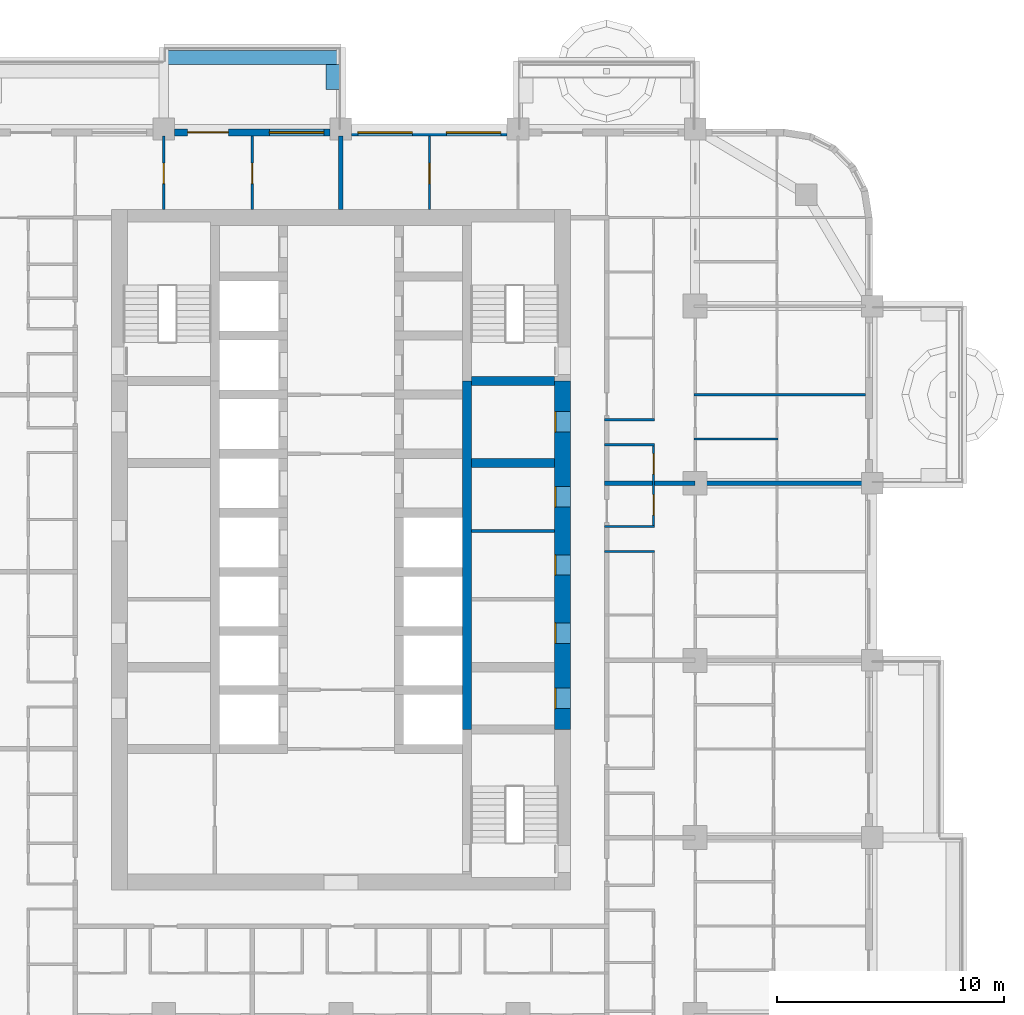
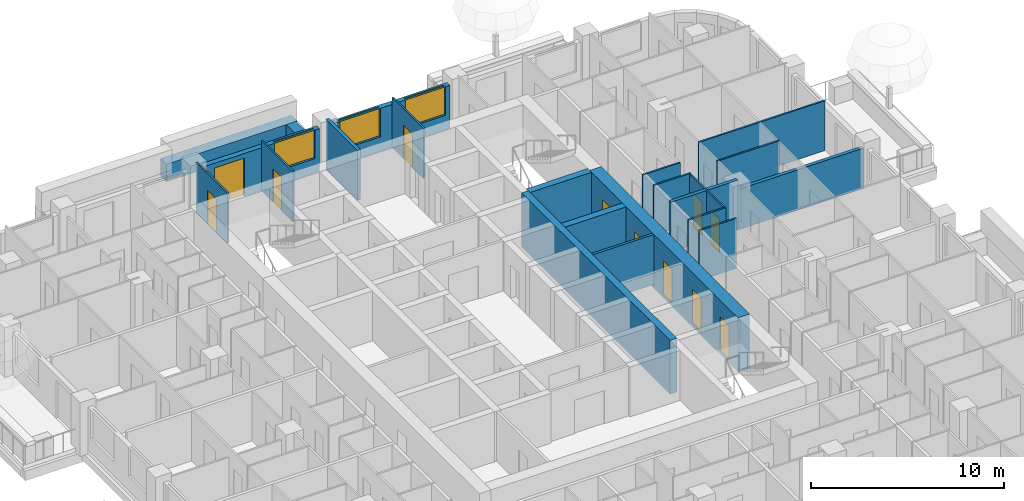
# One storey, part 12 of 19: 22 walls, 11 doors, 3 windows, 14 openings.
"""IFC4 building model written with IfcOpenShell, lengths in metres."""

from ifc_helpers import new_model, si_unit, direction, frame, frame_2d, origin, place, context, subcontext, project, spatial, rectangle, extrude, material, layer, layer_set, type_object, element, fill, save


model = new_model("IFC4")

# Units and contexts
model_context = context("Model", 3, precision=1e-05, world=origin(), true_north=direction((0.0, 1.0)))
body_context = subcontext(model_context, "Body", "Model", "MODEL_VIEW")
ifc_project = project(units=[si_unit("LENGTHUNIT", "METRE"), si_unit("AREAUNIT", "SQUARE_METRE"), si_unit("VOLUMEUNIT", "CUBIC_METRE"), si_unit("PLANEANGLEUNIT", "RADIAN"), si_unit("MASSUNIT", "GRAM", prefix="KILO")], contexts=[model_context])

# Site, building, storey
site_placement = place(None, origin())
site = spatial("IfcSite", under=ifc_project, at=site_placement, CompositionType="ELEMENT")
building_placement = place(site_placement, origin())
building = spatial("IfcBuilding", under=site, at=building_placement, Name="Ludao Terraces", CompositionType="ELEMENT")
storey_placement = place(building_placement, frame((0.0, 0.0, 68.199951171875)))
storey = spatial("IfcBuildingStorey", under=building, at=storey_placement, Name="L18", CompositionType="ELEMENT", Elevation=68.199951171875)

# Wall, openings, doors
ifc_material_1 = material(Name="Concrete C70", Category="concrete")
ifc_layer_1 = layer(ifc_material_1, 0.699951171875)
ifc_layer_set_1 = layer_set([ifc_layer_1], Name="Core wall 700 C70")
wall_type_1 = type_object("IfcWallType", Name="Core wall 700 C70", PredefinedType="SOLIDWALL", material=ifc_layer_set_1)
wall_1_placement = place(storey_placement, frame((94.75, 61.949951171875, -0.25), z_axis=(0.0, 0.0, 1.0), x_axis=(0.0, 1.0, 0.0)))
wall_1 = element("IfcWall", 1, at=wall_1_placement, inside=storey, type_object=wall_type_1, Name="Core wall L18 outer-E", PredefinedType="SOLIDWALL", context=body_context, shape_type="SweptSolid", body=[
    extrude(rectangle(XDim=15.35009765625, YDim=0.699951171875, at=frame_2d((7.675048828125, 0.0))), origin(), (0.0, 0.0, 1.0), 3.400146484375),
])
opening_1_placement = place(wall_1_placement, frame((0.925048828125, 0.0, 0.25)))
opening_1 = element("IfcOpeningElement", 2, at=opening_1_placement, cuts=wall_1, Name="Opening R05-080", PredefinedType="OPENING", context=body_context, shape_type="SweptSolid", body=[
    extrude(rectangle(XDim=0.89990234375, YDim=2.10009765625, at=frame_2d((0.449951171875, 1.050048828125))), frame((0.0, 0.35986328125, 0.0), z_axis=(0.0, -1.0, 0.0), x_axis=(1.0, 0.0, 0.0)), (0.0, 0.0, 1.0), 0.719970703125),
])
opening_2_placement = place(wall_1_placement, frame((3.800048828125, 0.0, 0.25)))
opening_2 = element("IfcOpeningElement", 3, at=opening_2_placement, cuts=wall_1, Name="Opening R05-093", PredefinedType="OPENING", context=body_context, shape_type="SweptSolid", body=[
    extrude(rectangle(XDim=0.89990234375, YDim=2.10009765625, at=frame_2d((0.449951171875, 1.050048828125))), frame((0.0, 0.35986328125, 0.0), z_axis=(0.0, -1.0, 0.0), x_axis=(1.0, 0.0, 0.0)), (0.0, 0.0, 1.0), 0.719970703125),
])
opening_3_placement = place(wall_1_placement, frame((6.800048828125, 0.0, 0.25)))
opening_3 = element("IfcOpeningElement", 4, at=opening_3_placement, cuts=wall_1, Name="Opening R05-101", PredefinedType="OPENING", context=body_context, shape_type="SweptSolid", body=[
    extrude(rectangle(XDim=0.89990234375, YDim=2.10009765625, at=frame_2d((0.449951171875, 1.050048828125))), frame((0.0, 0.35986328125, 0.0), z_axis=(0.0, -1.0, 0.0), x_axis=(1.0, 0.0, 0.0)), (0.0, 0.0, 1.0), 0.719970703125),
])
opening_4_placement = place(wall_1_placement, frame((9.800048828125, 0.0, 0.25)))
opening_4 = element("IfcOpeningElement", 5, at=opening_4_placement, cuts=wall_1, Name="Opening R05-112", PredefinedType="OPENING", context=body_context, shape_type="SweptSolid", body=[
    extrude(rectangle(XDim=0.89990234375, YDim=2.10009765625, at=frame_2d((0.449951171875, 1.050048828125))), frame((0.0, 0.35986328125, 0.0), z_axis=(0.0, -1.0, 0.0), x_axis=(1.0, 0.0, 0.0)), (0.0, 0.0, 1.0), 0.719970703125),
])
opening_5_placement = place(wall_1_placement, frame((13.10009765625, 0.0, 0.25)))
opening_5 = element("IfcOpeningElement", 6, at=opening_5_placement, cuts=wall_1, Name="Opening R05-124", PredefinedType="OPENING", context=body_context, shape_type="SweptSolid", body=[
    extrude(rectangle(XDim=0.89990234375, YDim=2.10009765625, at=frame_2d((0.449951171875, 1.050048828125))), frame((0.0, 0.35986328125, 0.0), z_axis=(0.0, -1.0, 0.0), x_axis=(1.0, 0.0, 0.0)), (0.0, 0.0, 1.0), 0.719970703125),
])
ifc_material_2 = material(Name="Steel Q235", Category="steel")
door_type_1 = type_object("IfcDoorType", Name="INT Riser door 900", OperationType="SINGLE_SWING_LEFT", PredefinedType="DOOR", material=ifc_material_2)
door_1_placement = place(opening_1_placement, origin())
door_1 = element("IfcDoor", 7, at=door_1_placement, inside=storey, type_object=door_type_1, Name="DOOR 080", OperationType="SINGLE_SWING_RIGHT", OverallHeight=2.10009765625, OverallWidth=0.89990234375, PredefinedType="DOOR", context=body_context, shape_type="SweptSolid", body=[
    extrude(rectangle(XDim=0.89990234375, YDim=2.10009765625, at=frame_2d((0.449951171875, 1.050048828125))), frame((0.0, 0.3349609375, 0.0), z_axis=(0.0, -1.0, 0.0), x_axis=(1.0, 0.0, 0.0)), (0.0, 0.0, 1.0), 0.050048828125),
])
fill(opening_1, door_1)
door_2_placement = place(opening_5_placement, origin())
door_2 = element("IfcDoor", 8, at=door_2_placement, inside=storey, type_object=door_type_1, Name="DOOR 124", OperationType="SINGLE_SWING_LEFT", OverallHeight=2.10009765625, OverallWidth=0.89990234375, PredefinedType="DOOR", context=body_context, shape_type="SweptSolid", body=[
    extrude(rectangle(XDim=0.89990234375, YDim=2.10009765625, at=frame_2d((0.449951171875, 1.050048828125))), frame((0.0, 0.3349609375, 0.0), z_axis=(0.0, -1.0, 0.0), x_axis=(1.0, 0.0, 0.0)), (0.0, 0.0, 1.0), 0.050048828125),
])
fill(opening_5, door_2)
ifc_material_3 = material(Name="Timber door leaf", Category="wood")
door_type_2 = type_object("IfcDoorType", Name="INT Room door 900", OperationType="SINGLE_SWING_LEFT", PredefinedType="DOOR", material=ifc_material_3)
door_3_placement = place(opening_2_placement, origin())
door_3 = element("IfcDoor", 9, at=door_3_placement, inside=storey, type_object=door_type_2, Name="DOOR 093", OperationType="SINGLE_SWING_LEFT", OverallHeight=2.10009765625, OverallWidth=0.89990234375, PredefinedType="DOOR", context=body_context, shape_type="SweptSolid", body=[
    extrude(rectangle(XDim=0.89990234375, YDim=2.10009765625, at=frame_2d((0.449951171875, 1.050048828125))), frame((0.0, 0.3349609375, 0.0), z_axis=(0.0, -1.0, 0.0), x_axis=(1.0, 0.0, 0.0)), (0.0, 0.0, 1.0), 0.050048828125),
])
fill(opening_2, door_3)
door_4_placement = place(opening_3_placement, origin())
door_4 = element("IfcDoor", 10, at=door_4_placement, inside=storey, type_object=door_type_2, Name="DOOR 101", OperationType="SINGLE_SWING_RIGHT", OverallHeight=2.10009765625, OverallWidth=0.89990234375, PredefinedType="DOOR", context=body_context, shape_type="SweptSolid", body=[
    extrude(rectangle(XDim=0.89990234375, YDim=2.10009765625, at=frame_2d((0.449951171875, 1.050048828125))), frame((0.0, 0.3349609375, 0.0), z_axis=(0.0, -1.0, 0.0), x_axis=(1.0, 0.0, 0.0)), (0.0, 0.0, 1.0), 0.050048828125),
])
fill(opening_3, door_4)
door_5_placement = place(opening_4_placement, origin())
door_5 = element("IfcDoor", 11, at=door_5_placement, inside=storey, type_object=door_type_2, Name="DOOR 112", OperationType="SINGLE_SWING_RIGHT", OverallHeight=2.10009765625, OverallWidth=0.89990234375, PredefinedType="DOOR", context=body_context, shape_type="SweptSolid", body=[
    extrude(rectangle(XDim=0.89990234375, YDim=2.10009765625, at=frame_2d((0.449951171875, 1.050048828125))), frame((0.0, 0.3349609375, 0.0), z_axis=(0.0, -1.0, 0.0), x_axis=(1.0, 0.0, 0.0)), (0.0, 0.0, 1.0), 0.050048828125),
])
fill(opening_4, door_5)

# Walls
ifc_material_4 = material(Name="Concrete C40", Category="concrete")
ifc_layer_2 = layer(ifc_material_4, 0.60009765625)
ifc_layer_set_2 = layer_set([ifc_layer_2], Name="ENV Planter trough 600")
wall_type_2 = type_object("IfcWallType", Name="ENV Planter trough 600", PredefinedType="USERDEFINED", material=ifc_layer_set_2)
wall_2_placement = place(storey_placement, frame((77.199951171875, 91.550048828125, 0.0), z_axis=(0.0, 0.0, 1.0), x_axis=(1.0, 0.0, 0.0)))
element("IfcWall", 12, at=wall_2_placement, inside=storey, type_object=wall_type_2, Name="PL-L18-N2", ObjectType="PLANTER", PredefinedType="USERDEFINED", context=body_context, shape_type="SweptSolid", body=[
    extrude(rectangle(XDim=7.800048828125, YDim=0.60009765625, at=frame_2d((3.89990234375, 0.0))), origin(), (0.0, 0.0, 1.0), 1.10009765625),
])
wall_3_placement = place(storey_placement, frame((84.64990234375, 91.25, 0.0), z_axis=(0.0, 0.0, 1.0), x_axis=(0.0, -1.0, 0.0)))
element("IfcWall", 13, at=wall_3_placement, inside=storey, type_object=wall_type_2, Name="PL-L18-N2-SB", ObjectType="PLANTER", PredefinedType="USERDEFINED", context=body_context, shape_type="SweptSolid", body=[
    extrude(rectangle(XDim=1.10009765625, YDim=0.60009765625, at=frame_2d((0.550048828125, 0.0))), origin(), (0.0, 0.0, 1.0), 1.10009765625),
])

# Wall, openings, door, window
ifc_material_5 = material(Name="Granite cladding", Category="masonry")
ifc_layer_3 = layer(ifc_material_5, 0.0400390625, Category="stone")
ifc_material_6 = material(Name="Mineral wool")
ifc_layer_4 = layer(ifc_material_6, 0.06005859375)
ifc_layer_5 = layer(ifc_material_4, 0.199951171875, Category="concrete")
ifc_layer_set_3 = layer_set([ifc_layer_3, ifc_layer_4, ifc_layer_5], Name="ENV Stone-clad wall 300")
wall_type_3 = type_object("IfcWallType", Name="ENV Stone-clad wall 300", PredefinedType="SOLIDWALL", material=ifc_layer_set_3)
wall_4_placement = place(storey_placement, frame((77.675048828125, 88.25, 0.0), z_axis=(0.0, 0.0, 1.0), x_axis=(1.0, 0.0, 0.0)))
wall_4 = element("IfcWall", 14, at=wall_4_placement, inside=storey, type_object=wall_type_3, Name="EW-L18-N3", PredefinedType="SOLIDWALL", context=body_context, shape_type="SweptSolid", body=[
    extrude(rectangle(XDim=6.849853515625, YDim=0.300048828125, at=frame_2d((3.4248046875, 0.0))), origin(), (0.0, 0.0, 1.0), 2.699951171875),
])
opening_6_placement = place(wall_4_placement, frame((0.574951171875, 0.0, 0.0)))
opening_6 = element("IfcOpeningElement", 15, at=opening_6_placement, cuts=wall_4, Name="Opening BD", PredefinedType="OPENING", context=body_context, shape_type="SweptSolid", body=[
    extrude(rectangle(XDim=1.800048828125, YDim=2.39990234375, at=frame_2d((0.89990234375, 1.199951171875))), frame((0.0, 0.16015625, 0.0), z_axis=(0.0, -1.0, 0.0), x_axis=(1.0, 0.0, 0.0)), (0.0, 0.0, 1.0), 0.320068359375),
])
opening_7_placement = place(wall_4_placement, frame((4.175048828125, 0.0, 0.89990234375)))
opening_7 = element("IfcOpeningElement", 16, at=opening_7_placement, cuts=wall_4, Name="Opening W1", PredefinedType="OPENING", context=body_context, shape_type="SweptSolid", body=[
    extrude(rectangle(XDim=2.39990234375, YDim=1.800048828125, at=frame_2d((1.199951171875, 0.89990234375))), frame((0.0, 0.16015625, 0.0), z_axis=(0.0, -1.0, 0.0), x_axis=(1.0, 0.0, 0.0)), (0.0, 0.0, 1.0), 0.320068359375),
])
ifc_material_7 = material(Name="Aluminium glazed door", Category="aluminium")
ifc_layer_6 = layer(ifc_material_7, 0.06005859375)
ifc_layer_set_4 = layer_set([ifc_layer_6], Name="ENV Balcony door BD 1800x2400")
door_type_3 = type_object("IfcDoorType", Name="ENV Balcony door BD 1800x2400", OperationType="DOUBLE_DOOR_SINGLE_SWING", PredefinedType="DOOR", material=ifc_layer_set_4)
door_6_placement = place(opening_6_placement, origin())
door_6 = element("IfcDoor", 17, at=door_6_placement, inside=storey, type_object=door_type_3, Name="BD-L18-N3-1", OperationType="DOUBLE_DOOR_SINGLE_SWING", OverallHeight=2.39990234375, OverallWidth=1.800048828125, PredefinedType="DOOR", context=body_context, shape_type="SweptSolid", body=[
    extrude(rectangle(XDim=1.800048828125, YDim=2.39990234375, at=frame_2d((0.89990234375, 1.199951171875))), frame((0.0, 0.02490234375, 0.0), z_axis=(0.0, -1.0, 0.0), x_axis=(1.0, 0.0, 0.0)), (0.0, 0.0, 1.0), 0.050048828125),
])
fill(opening_6, door_6)
ifc_material_8 = material(Name="Clear glass in aluminium frame", Category="aluminium")
ifc_layer_7 = layer(ifc_material_8, 0.06005859375)
ifc_layer_set_5 = layer_set([ifc_layer_7], Name="ENV Window W1 2400x1800")
window_type = type_object("IfcWindowType", Name="ENV Window W1 2400x1800", PartitioningType="DOUBLE_PANEL_VERTICAL", PredefinedType="WINDOW", material=ifc_layer_set_5)
window_1_placement = place(opening_7_placement, origin())
window_1 = element("IfcWindow", 18, at=window_1_placement, inside=storey, type_object=window_type, Name="W-L18-N3-2", OverallHeight=1.800048828125, OverallWidth=2.39990234375, PartitioningType="DOUBLE_PANEL_VERTICAL", PredefinedType="WINDOW", context=body_context, shape_type="SweptSolid", body=[
    extrude(rectangle(XDim=2.39990234375, YDim=1.800048828125, at=frame_2d((1.199951171875, 0.89990234375))), frame((0.0, 0.030029296875, 0.0), z_axis=(0.0, -1.0, 0.0), x_axis=(1.0, 0.0, 0.0)), (0.0, 0.0, 1.0), 0.06005859375),
])
fill(opening_7, window_1)

# Wall, openings, windows
wall_5_placement = place(storey_placement, frame((85.47509765625, 88.25, 0.0), z_axis=(0.0, 0.0, 1.0), x_axis=(1.0, 0.0, 0.0)))
wall_5 = element("IfcWall", 19, at=wall_5_placement, inside=storey, type_object=wall_type_3, Name="EW-L18-N4", PredefinedType="SOLIDWALL", context=body_context, shape_type="SweptSolid", body=[
    extrude(rectangle(XDim=6.849853515625, YDim=0.300048828125, at=frame_2d((3.4248046875, 0.0))), origin(), (0.0, 0.0, 1.0), 2.699951171875),
])
opening_8_placement = place(wall_5_placement, frame((0.27490234375, 0.0, 0.89990234375)))
opening_8 = element("IfcOpeningElement", 20, at=opening_8_placement, cuts=wall_5, Name="Opening W1", PredefinedType="OPENING", context=body_context, shape_type="SweptSolid", body=[
    extrude(rectangle(XDim=2.39990234375, YDim=1.800048828125, at=frame_2d((1.199951171875, 0.89990234375))), frame((0.0, 0.16015625, 0.0), z_axis=(0.0, -1.0, 0.0), x_axis=(1.0, 0.0, 0.0)), (0.0, 0.0, 1.0), 0.320068359375),
])
opening_9_placement = place(wall_5_placement, frame((4.175048828125, 0.0, 0.89990234375)))
opening_9 = element("IfcOpeningElement", 21, at=opening_9_placement, cuts=wall_5, Name="Opening W1", PredefinedType="OPENING", context=body_context, shape_type="SweptSolid", body=[
    extrude(rectangle(XDim=2.39990234375, YDim=1.800048828125, at=frame_2d((1.199951171875, 0.89990234375))), frame((0.0, 0.16015625, 0.0), z_axis=(0.0, -1.0, 0.0), x_axis=(1.0, 0.0, 0.0)), (0.0, 0.0, 1.0), 0.320068359375),
])
window_2_placement = place(opening_8_placement, origin())
window_2 = element("IfcWindow", 22, at=window_2_placement, inside=storey, type_object=window_type, Name="W-L18-N4-1", OverallHeight=1.800048828125, OverallWidth=2.39990234375, PartitioningType="DOUBLE_PANEL_VERTICAL", PredefinedType="WINDOW", context=body_context, shape_type="SweptSolid", body=[
    extrude(rectangle(XDim=2.39990234375, YDim=1.800048828125, at=frame_2d((1.199951171875, 0.89990234375))), frame((0.0, 0.030029296875, 0.0), z_axis=(0.0, -1.0, 0.0), x_axis=(1.0, 0.0, 0.0)), (0.0, 0.0, 1.0), 0.06005859375),
])
fill(opening_8, window_2)
window_3_placement = place(opening_9_placement, origin())
window_3 = element("IfcWindow", 23, at=window_3_placement, inside=storey, type_object=window_type, Name="W-L18-N4-2", OverallHeight=1.800048828125, OverallWidth=2.39990234375, PartitioningType="DOUBLE_PANEL_VERTICAL", PredefinedType="WINDOW", context=body_context, shape_type="SweptSolid", body=[
    extrude(rectangle(XDim=2.39990234375, YDim=1.800048828125, at=frame_2d((1.199951171875, 0.89990234375))), frame((0.0, 0.030029296875, 0.0), z_axis=(0.0, -1.0, 0.0), x_axis=(1.0, 0.0, 0.0)), (0.0, 0.0, 1.0), 0.06005859375),
])
fill(opening_9, window_3)

# Walls
ifc_material_9 = material(Name="Fire-rated gypsum plasterboard", Category="gypsum")
ifc_layer_8 = layer(ifc_material_9, 0.012451171875, Category="gypsum")
ifc_layer_9 = layer(ifc_material_6, 0.10009765625, Name="insulation")
ifc_layer_10 = layer(ifc_material_2, 0.02490234375, Name="stud")
ifc_layer_11 = layer(ifc_material_9, 0.012451171875, Category="gypsum")
ifc_layer_set_6 = layer_set([ifc_layer_8, ifc_layer_9, ifc_layer_10, ifc_layer_11], Name="INT Core partition 150")
wall_type_4 = type_object("IfcWallType", Name="INT Core partition 150", PredefinedType="PARTITIONING", material=ifc_layer_set_6)
wall_6_placement = place(storey_placement, frame((90.75, 70.699951171875, 0.0), z_axis=(0.0, 0.0, 1.0), x_axis=(1.0, 0.0, 0.0)))
element("IfcWall", 24, at=wall_6_placement, inside=storey, type_object=wall_type_4, Name="PW-L18-PW052", PredefinedType="PARTITIONING", context=body_context, shape_type="SweptSolid", body=[
    extrude(rectangle(XDim=3.650146484375, YDim=0.14990234375, at=frame_2d((1.8251953125, 0.0))), origin(), (0.0, 0.0, 1.0), 3.150146484375),
])
ifc_material_10 = material(Name="Gypsum plasterboard", Category="gypsum")
ifc_layer_12 = layer(ifc_material_10, 0.012451171875, Category="gypsum")
ifc_layer_13 = layer(ifc_material_6, 0.06005859375, Name="insulation")
ifc_layer_14 = layer(ifc_material_2, 0.014892578125, Name="stud")
ifc_layer_15 = layer(ifc_material_10, 0.012451171875, Category="gypsum")
ifc_layer_set_7 = layer_set([ifc_layer_12, ifc_layer_13, ifc_layer_14, ifc_layer_15], Name="INT Partition 100")
wall_type_5 = type_object("IfcWallType", Name="INT Partition 100", PredefinedType="PARTITIONING", material=ifc_layer_set_7)
for number, where, z_axis, x_axis, name in (
    (25, (96.60009765625, 69.800048828125, 0.0), (0.0, 0.0, 1.0), (1.0, 0.0, 0.0), "PW-L18-PW051"),
    (26, (96.60009765625, 70.89990234375, 0.0), (0.0, 0.0, 1.0), (1.0, 0.0, 0.0), "PW-L18-PW054"),
    (27, (96.60009765625, 74.5, 0.0), (0.0, 0.0, 1.0), (1.0, 0.0, 0.0), "PW-L18-PW060"),
):
    element("IfcWall", number, at=place(storey_placement, frame(where, z_axis=z_axis, x_axis=x_axis)), inside=storey, type_object=wall_type_5, Name=name, PredefinedType="PARTITIONING", context=body_context, shape_type="SweptSolid", body=[
        extrude(rectangle(XDim=2.219970703125, YDim=0.10009765625, at=frame_2d((1.10986328125, 0.0))), origin(), (0.0, 0.0, 1.0), 3.150146484375),
    ])
wall_7_placement = place(storey_placement, frame((100.550048828125, 74.75, 0.0), z_axis=(0.0, 0.0, 1.0), x_axis=(1.0, 0.0, 0.0)))
element("IfcWall", 28, at=wall_7_placement, inside=storey, type_object=wall_type_5, Name="PW-L18-PW061", PredefinedType="PARTITIONING", context=body_context, shape_type="SweptSolid", body=[
    extrude(rectangle(XDim=3.699951171875, YDim=0.10009765625, at=frame_2d((1.85009765625, 0.0))), origin(), (0.0, 0.0, 1.0), 3.150146484375),
])
wall_8_placement = place(storey_placement, frame((96.60009765625, 75.60009765625, 0.0), z_axis=(0.0, 0.0, 1.0), x_axis=(1.0, 0.0, 0.0)))
element("IfcWall", 29, at=wall_8_placement, inside=storey, type_object=wall_type_5, Name="PW-L18-PW063", PredefinedType="PARTITIONING", context=body_context, shape_type="SweptSolid", body=[
    extrude(rectangle(XDim=2.219970703125, YDim=0.10009765625, at=frame_2d((1.10986328125, 0.0))), origin(), (0.0, 0.0, 1.0), 3.150146484375),
])
wall_9_placement = place(storey_placement, frame((100.550048828125, 76.699951171875, 0.0), z_axis=(0.0, 0.0, 1.0), x_axis=(1.0, 0.0, 0.0)))
element("IfcWall", 30, at=wall_9_placement, inside=storey, type_object=wall_type_5, Name="PW-L18-PW066", PredefinedType="PARTITIONING", context=body_context, shape_type="SweptSolid", body=[
    extrude(rectangle(XDim=7.550048828125, YDim=0.10009765625, at=frame_2d((3.77490234375, 0.0))), origin(), (0.0, 0.0, 1.0), 3.150146484375),
])

# Wall, opening, door
wall_10_placement = place(storey_placement, frame((77.199951171875, 84.85009765625, 0.0), z_axis=(0.0, 0.0, 1.0), x_axis=(0.0, 1.0, 0.0)))
wall_10 = element("IfcWall", 31, at=wall_10_placement, inside=storey, type_object=wall_type_5, Name="PW-L18-PW097", PredefinedType="PARTITIONING", context=body_context, shape_type="SweptSolid", body=[
    extrude(rectangle(XDim=3.25, YDim=0.10009765625, at=frame_2d((1.625, 0.0))), origin(), (0.0, 0.0, 1.0), 3.150146484375),
])
opening_10_placement = place(wall_10_placement, frame((1.14990234375, 0.0, 0.0)))
opening_10 = element("IfcOpeningElement", 32, at=opening_10_placement, cuts=wall_10, Name="Opening R05-162", PredefinedType="OPENING", context=body_context, shape_type="SweptSolid", body=[
    extrude(rectangle(XDim=0.89990234375, YDim=2.10009765625, at=frame_2d((0.449951171875, 1.050048828125))), frame((0.0, 0.06005859375, 0.0), z_axis=(0.0, -1.0, 0.0), x_axis=(1.0, 0.0, 0.0)), (0.0, 0.0, 1.0), 0.1201171875),
])
door_7_placement = place(opening_10_placement, origin())
door_7 = element("IfcDoor", 33, at=door_7_placement, inside=storey, type_object=door_type_2, Name="DOOR 162", OperationType="SINGLE_SWING_RIGHT", OverallHeight=2.10009765625, OverallWidth=0.89990234375, PredefinedType="DOOR", context=body_context, shape_type="SweptSolid", body=[
    extrude(rectangle(XDim=0.89990234375, YDim=2.10009765625, at=frame_2d((0.449951171875, 1.050048828125))), frame((0.0, 0.02490234375, 0.0), z_axis=(0.0, -1.0, 0.0), x_axis=(1.0, 0.0, 0.0)), (0.0, 0.0, 1.0), 0.050048828125),
])
fill(opening_10, door_7)

wall_11_placement = place(storey_placement, frame((81.10009765625, 84.85009765625, 0.0), z_axis=(0.0, 0.0, 1.0), x_axis=(0.0, 1.0, 0.0)))
wall_11 = element("IfcWall", 34, at=wall_11_placement, inside=storey, type_object=wall_type_5, Name="PW-L18-PW102", PredefinedType="PARTITIONING", context=body_context, shape_type="SweptSolid", body=[
    extrude(rectangle(XDim=3.25, YDim=0.10009765625, at=frame_2d((1.625, 0.0))), origin(), (0.0, 0.0, 1.0), 3.150146484375),
])
opening_11_placement = place(wall_11_placement, frame((1.14990234375, 0.0, 0.0)))
opening_11 = element("IfcOpeningElement", 35, at=opening_11_placement, cuts=wall_11, Name="Opening R05-163", PredefinedType="OPENING", context=body_context, shape_type="SweptSolid", body=[
    extrude(rectangle(XDim=0.89990234375, YDim=2.10009765625, at=frame_2d((0.449951171875, 1.050048828125))), frame((0.0, 0.06005859375, 0.0), z_axis=(0.0, -1.0, 0.0), x_axis=(1.0, 0.0, 0.0)), (0.0, 0.0, 1.0), 0.1201171875),
])
door_8_placement = place(opening_11_placement, origin())
door_8 = element("IfcDoor", 36, at=door_8_placement, inside=storey, type_object=door_type_2, Name="DOOR 163", OperationType="SINGLE_SWING_RIGHT", OverallHeight=2.10009765625, OverallWidth=0.89990234375, PredefinedType="DOOR", context=body_context, shape_type="SweptSolid", body=[
    extrude(rectangle(XDim=0.89990234375, YDim=2.10009765625, at=frame_2d((0.449951171875, 1.050048828125))), frame((0.0, 0.02490234375, 0.0), z_axis=(0.0, -1.0, 0.0), x_axis=(1.0, 0.0, 0.0)), (0.0, 0.0, 1.0), 0.050048828125),
])
fill(opening_11, door_8)

wall_12_placement = place(storey_placement, frame((88.89990234375, 84.85009765625, 0.0), z_axis=(0.0, 0.0, 1.0), x_axis=(0.0, 1.0, 0.0)))
wall_12 = element("IfcWall", 37, at=wall_12_placement, inside=storey, type_object=wall_type_5, Name="PW-L18-PW110", PredefinedType="PARTITIONING", context=body_context, shape_type="SweptSolid", body=[
    extrude(rectangle(XDim=3.25, YDim=0.10009765625, at=frame_2d((1.625, 0.0))), origin(), (0.0, 0.0, 1.0), 3.150146484375),
])
opening_12_placement = place(wall_12_placement, frame((1.14990234375, 0.0, 0.0)))
opening_12 = element("IfcOpeningElement", 38, at=opening_12_placement, cuts=wall_12, Name="Opening R05-164", PredefinedType="OPENING", context=body_context, shape_type="SweptSolid", body=[
    extrude(rectangle(XDim=0.89990234375, YDim=2.10009765625, at=frame_2d((0.449951171875, 1.050048828125))), frame((0.0, 0.06005859375, 0.0), z_axis=(0.0, -1.0, 0.0), x_axis=(1.0, 0.0, 0.0)), (0.0, 0.0, 1.0), 0.1201171875),
])
door_9_placement = place(opening_12_placement, origin())
door_9 = element("IfcDoor", 39, at=door_9_placement, inside=storey, type_object=door_type_2, Name="DOOR 164", OperationType="SINGLE_SWING_LEFT", OverallHeight=2.10009765625, OverallWidth=0.89990234375, PredefinedType="DOOR", context=body_context, shape_type="SweptSolid", body=[
    extrude(rectangle(XDim=0.89990234375, YDim=2.10009765625, at=frame_2d((0.449951171875, 1.050048828125))), frame((0.0, 0.02490234375, 0.0), z_axis=(0.0, -1.0, 0.0), x_axis=(1.0, 0.0, 0.0)), (0.0, 0.0, 1.0), 0.050048828125),
])
fill(opening_12, door_9)

# Wall, openings, doors
wall_13_placement = place(storey_placement, frame((98.77001953125, 70.9501953125, 0.0), z_axis=(0.0, 0.0, 1.0), x_axis=(0.0, 1.0, 0.0)))
wall_13 = element("IfcWall", 40, at=wall_13_placement, inside=storey, type_object=wall_type_5, Name="PW-L18-PW123", PredefinedType="PARTITIONING", context=body_context, shape_type="SweptSolid", body=[
    extrude(rectangle(XDim=3.5, YDim=0.10009765625, at=frame_2d((1.75, 0.0))), origin(), (0.0, 0.0, 1.0), 3.150146484375),
])
opening_13_placement = place(wall_13_placement, frame((0.449951171875, 0.0, 0.0)))
opening_13 = element("IfcOpeningElement", 41, at=opening_13_placement, cuts=wall_13, Name="Opening R05-111", PredefinedType="OPENING", context=body_context, shape_type="SweptSolid", body=[
    extrude(rectangle(XDim=0.89990234375, YDim=2.10009765625, at=frame_2d((0.449951171875, 1.050048828125))), frame((0.0, 0.06005859375, 0.0), z_axis=(0.0, -1.0, 0.0), x_axis=(1.0, 0.0, 0.0)), (0.0, 0.0, 1.0), 0.1201171875),
])
opening_14_placement = place(wall_13_placement, frame((2.25, 0.0, 0.0)))
opening_14 = element("IfcOpeningElement", 42, at=opening_14_placement, cuts=wall_13, Name="Opening R05-116", PredefinedType="OPENING", context=body_context, shape_type="SweptSolid", body=[
    extrude(rectangle(XDim=0.89990234375, YDim=2.10009765625, at=frame_2d((0.449951171875, 1.050048828125))), frame((0.0, 0.06005859375, 0.0), z_axis=(0.0, -1.0, 0.0), x_axis=(1.0, 0.0, 0.0)), (0.0, 0.0, 1.0), 0.1201171875),
])
door_type_4 = type_object("IfcDoorType", Name="INT Bathroom door 900", OperationType="SINGLE_SWING_LEFT", PredefinedType="DOOR", material=ifc_material_3)
door_10_placement = place(opening_13_placement, origin())
door_10 = element("IfcDoor", 43, at=door_10_placement, inside=storey, type_object=door_type_4, Name="DOOR 111", OperationType="SINGLE_SWING_RIGHT", OverallHeight=2.10009765625, OverallWidth=0.89990234375, PredefinedType="DOOR", context=body_context, shape_type="SweptSolid", body=[
    extrude(rectangle(XDim=0.89990234375, YDim=2.10009765625, at=frame_2d((0.449951171875, 1.050048828125))), frame((0.0, 0.02490234375, 0.0), z_axis=(0.0, -1.0, 0.0), x_axis=(1.0, 0.0, 0.0)), (0.0, 0.0, 1.0), 0.050048828125),
])
fill(opening_13, door_10)
door_11_placement = place(opening_14_placement, origin())
door_11 = element("IfcDoor", 44, at=door_11_placement, inside=storey, type_object=door_type_4, Name="DOOR 116", OperationType="SINGLE_SWING_LEFT", OverallHeight=2.10009765625, OverallWidth=0.89990234375, PredefinedType="DOOR", context=body_context, shape_type="SweptSolid", body=[
    extrude(rectangle(XDim=0.89990234375, YDim=2.10009765625, at=frame_2d((0.449951171875, 1.050048828125))), frame((0.0, 0.02490234375, 0.0), z_axis=(0.0, -1.0, 0.0), x_axis=(1.0, 0.0, 0.0)), (0.0, 0.0, 1.0), 0.050048828125),
])
fill(opening_14, door_11)

# Walls
ifc_material_11 = material(Name="Autoclaved aerated concrete block B06 A3.5", Category="concrete")
ifc_layer_16 = layer(ifc_material_11, 0.199951171875)
ifc_layer_set_8 = layer_set([ifc_layer_16], Name="INT Party wall 200")
wall_type_6 = type_object("IfcWallType", Name="INT Party wall 200", PredefinedType="PARTITIONING", material=ifc_layer_set_8)
wall_14_placement = place(storey_placement, frame((96.60009765625, 72.800048828125, 0.0), z_axis=(0.0, 0.0, 1.0), x_axis=(1.0, 0.0, 0.0)))
element("IfcWall", 45, at=wall_14_placement, inside=storey, type_object=wall_type_6, Name="PW-L18-PW057", PredefinedType="PARTITIONING", context=body_context, shape_type="SweptSolid", body=[
    extrude(rectangle(XDim=4.0, YDim=0.199951171875, at=frame_2d((2.0, 0.0))), origin(), (0.0, 0.0, 1.0), 3.150146484375),
])
wall_15_placement = place(storey_placement, frame((100.60009765625, 72.800048828125, 0.0), z_axis=(0.0, 0.0, 1.0), x_axis=(1.0, 0.0, 0.0)))
element("IfcWall", 46, at=wall_15_placement, inside=storey, type_object=wall_type_6, Name="PW-L18-PW057-2", PredefinedType="PARTITIONING", context=body_context, shape_type="SweptSolid", body=[
    extrude(rectangle(XDim=7.5, YDim=0.199951171875, at=frame_2d((3.75, 0.0))), origin(), (0.0, 0.0, 1.0), 2.550048828125),
])
wall_16_placement = place(storey_placement, frame((85.0, 84.85009765625, 0.0), z_axis=(0.0, 0.0, 1.0), x_axis=(0.0, 1.0, 0.0)))
element("IfcWall", 47, at=wall_16_placement, inside=storey, type_object=wall_type_6, Name="PW-L18-PW107", PredefinedType="PARTITIONING", context=body_context, shape_type="SweptSolid", body=[
    extrude(rectangle(XDim=3.25, YDim=0.199951171875, at=frame_2d((1.625, 0.0))), origin(), (0.0, 0.0, 1.0), 3.150146484375),
])
ifc_material_12 = material(Name="Concrete C60", Category="concrete")
ifc_layer_17 = layer(ifc_material_12, 0.39990234375)
ifc_layer_set_9 = layer_set([ifc_layer_17], Name="Shaft wall 400 C60")
wall_type_7 = type_object("IfcWallType", Name="Shaft wall 400 C60", PredefinedType="SOLIDWALL", material=ifc_layer_set_9)
wall_17_placement = place(storey_placement, frame((90.550048828125, 61.949951171875, -0.25), z_axis=(0.0, 0.0, 1.0), x_axis=(0.0, 1.0, 0.0)))
element("IfcWall", 48, at=wall_17_placement, inside=storey, type_object=wall_type_7, Name="Core wall L18 back-E", PredefinedType="SOLIDWALL", context=body_context, shape_type="SweptSolid", body=[
    extrude(rectangle(XDim=15.35009765625, YDim=0.39990234375, at=frame_2d((7.675048828125, 0.0))), origin(), (0.0, 0.0, 1.0), 3.400146484375),
])
for number, where, z_axis, x_axis, name in (
    (49, (90.75, 73.699951171875, -0.25), (0.0, 0.0, 1.0), (1.0, 0.0, 0.0), "Core wall L18 riser-b-E"),
    (50, (90.75, 77.300048828125, -0.25), (0.0, 0.0, 1.0), (1.0, 0.0, 0.0), "Core wall L18 stair-E"),
):
    element("IfcWall", number, at=place(storey_placement, frame(where, z_axis=z_axis, x_axis=x_axis)), inside=storey, type_object=wall_type_7, Name=name, PredefinedType="SOLIDWALL", context=body_context, shape_type="SweptSolid", body=[
        extrude(rectangle(XDim=3.64990234375, YDim=0.39990234375, at=frame_2d((1.824951171875, 0.0))), origin(), (0.0, 0.0, 1.0), 3.400146484375),
    ])

save(model, "model.ifc")
